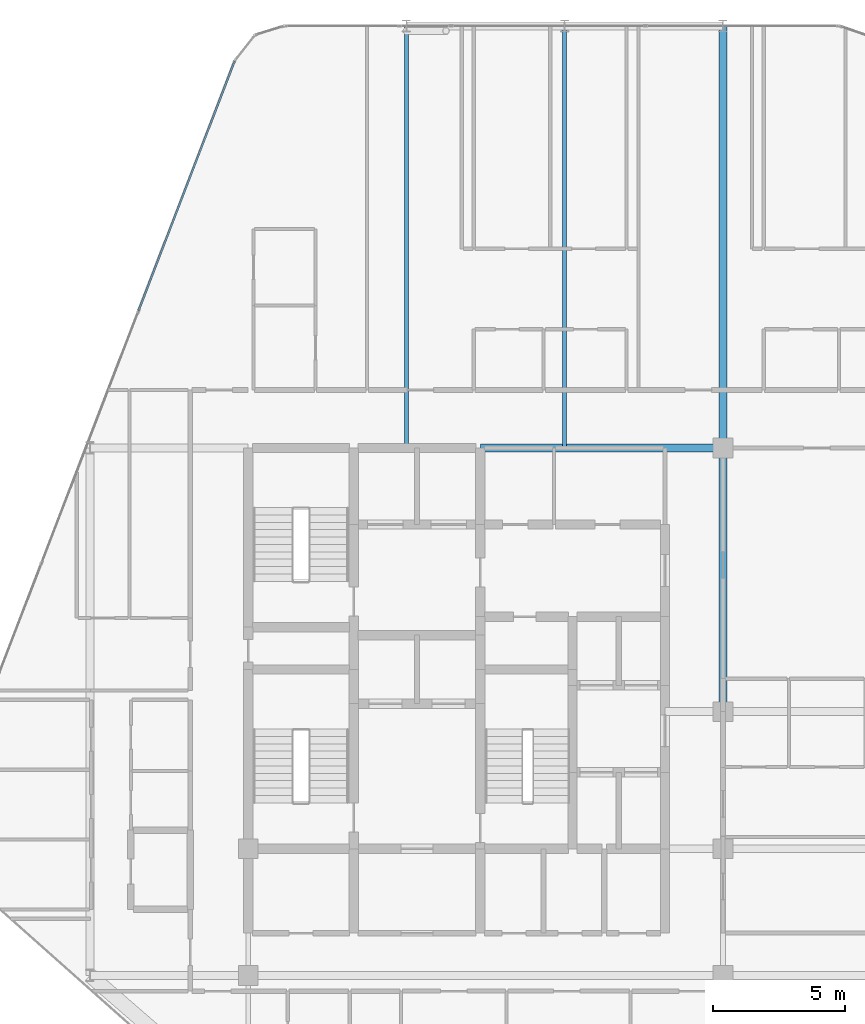
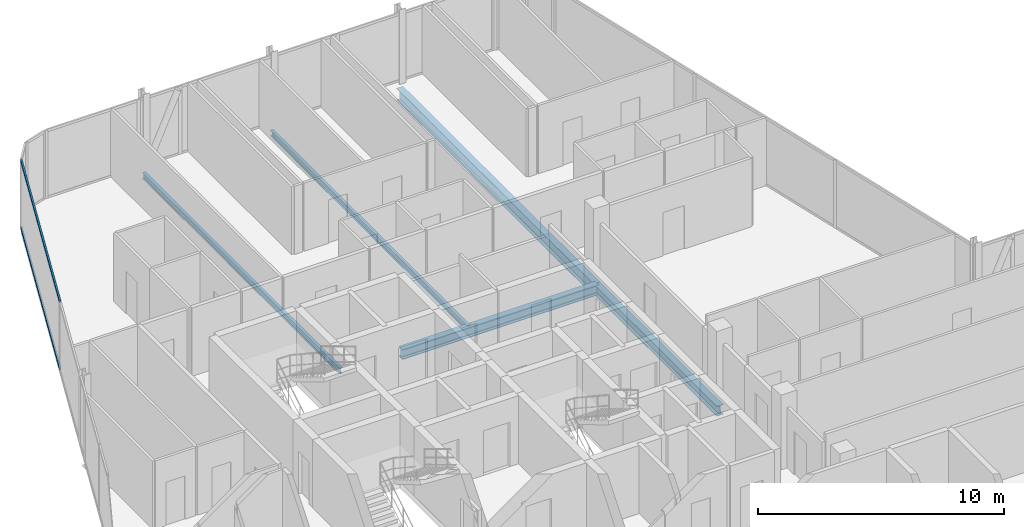
# One storey, part 17 of 29: 5 beams, 2 members, 1 element without a shape of its own.
"""IFC4 building model written with IfcOpenShell, lengths in metres."""

from ifc_helpers import new_model, si_unit, direction, frame, origin, origin_2d, place, context, subcontext, project, spatial, hollow_rectangle, i_section, extrude, material, layer, layer_set, material_profile, profile_set, type_object, element, aggregate, save


model = new_model("IFC4")

# Units and contexts
model_context = context("Model", 3, precision=1e-05, world=origin(), true_north=direction((0.0, 1.0)))
body_context = subcontext(model_context, "Body", "Model", "MODEL_VIEW")
ifc_project = project(units=[si_unit("LENGTHUNIT", "METRE"), si_unit("AREAUNIT", "SQUARE_METRE"), si_unit("VOLUMEUNIT", "CUBIC_METRE"), si_unit("PLANEANGLEUNIT", "RADIAN"), si_unit("MASSUNIT", "GRAM", prefix="KILO")], contexts=[model_context])

# Site, building, storey
site_placement = place(None, origin())
site = spatial("IfcSite", under=ifc_project, at=site_placement, CompositionType="ELEMENT")
building_placement = place(site_placement, origin())
building = spatial("IfcBuilding", under=site, at=building_placement, Name="Keshet Zoharim Tower", CompositionType="ELEMENT")
storey_placement = place(building_placement, frame((0.0, 0.0, 214.300048828125)))
storey = spatial("IfcBuildingStorey", under=building, at=storey_placement, Name="L53", CompositionType="ELEMENT", Elevation=214.300048828125)

# Beams
ifc_material_1 = material(Name="Steel S355", Category="steel")
ifc_material_profile_1 = material_profile(ifc_material_1, i_section(OverallWidth=0.14990234375, OverallDepth=0.300048828125, WebThickness=0.007080078125, FlangeThickness=0.0107421875, FilletRadius=0.014892578125, at=origin_2d()), Name="IPE300")
ifc_profile_set_1 = profile_set([ifc_material_profile_1], Name="Steel S355")
beam_type_1 = type_object("IfcBeamType", Name="BM-JST-IP300", PredefinedType="JOIST", material=ifc_profile_set_1)
for number, where, z_axis, x_axis, name in (
    (1, (21.0, 37.89990234375, -0.4599609375), (0.0, 1.0, 0.0), (-1.0, 0.0, 0.0), "L53 Secondary Floor Joist J-001"),
    (2, (27.0, 37.89990234375, -0.4599609375), (0.0, 1.0, 0.0), (-1.0, 0.0, 0.0), "L53 Secondary Floor Joist J-002"),
):
    element("IfcBeam", number, at=place(storey_placement, frame(where, z_axis=z_axis, x_axis=x_axis)), inside=storey, type_object=beam_type_1, Name=name, PredefinedType="JOIST", context=body_context, shape_type="SweptSolid", body=[
        extrude(i_section(OverallWidth=0.14990234375, OverallDepth=0.300048828125, WebThickness=0.007080078125, FlangeThickness=0.0107421875, FilletRadius=0.014892578125, at=origin_2d()), origin(), (0.0, 0.0, 1.0), 16.0),
    ])
ifc_material_profile_2 = material_profile(ifc_material_1, i_section(OverallWidth=0.300048828125, OverallDepth=0.60009765625, WebThickness=0.015380859375, FlangeThickness=0.030029296875, FilletRadius=0.027099609375, at=origin_2d()), Name="HEB600")
ifc_profile_set_2 = profile_set([ifc_material_profile_2], Name="Steel S355")
beam_type_2 = type_object("IfcBeamType", Name="BM-LNG-HB600", PredefinedType="BEAM", material=ifc_profile_set_2)
beam_1_placement = place(storey_placement, frame((33.0, 37.89990234375, -0.610107421875), z_axis=(0.0, 1.0, 0.0), x_axis=(-1.0, 0.0, 0.0)))
element("IfcBeam", 3, at=beam_1_placement, inside=storey, type_object=beam_type_2, Name="L53 Primary Girder Y-011", PredefinedType="BEAM", context=body_context, shape_type="SweptSolid", body=[
    extrude(i_section(OverallWidth=0.300048828125, OverallDepth=0.60009765625, WebThickness=0.015380859375, FlangeThickness=0.030029296875, FilletRadius=0.027099609375, at=origin_2d()), origin(), (0.0, 0.0, 1.0), 16.0),
])
ifc_material_profile_3 = material_profile(ifc_material_1, i_section(OverallWidth=0.300048828125, OverallDepth=0.5, WebThickness=0.014404296875, FlangeThickness=0.028076171875, FilletRadius=0.027099609375, at=origin_2d()), Name="HEB500")
ifc_profile_set_3 = profile_set([ifc_material_profile_3], Name="Steel S355")
beam_type_3 = type_object("IfcBeamType", Name="BM-MED-HB500", PredefinedType="BEAM", material=ifc_profile_set_3)
beam_2_placement = place(storey_placement, frame((23.800048828125, 37.89990234375, -0.56005859375), z_axis=(1.0, 0.0, 0.0), x_axis=(0.0, 1.0, 0.0)))
element("IfcBeam", 4, at=beam_2_placement, inside=storey, type_object=beam_type_3, Name="L53 Primary Girder X-018", PredefinedType="BEAM", context=body_context, shape_type="SweptSolid", body=[
    extrude(i_section(OverallWidth=0.300048828125, OverallDepth=0.5, WebThickness=0.014404296875, FlangeThickness=0.028076171875, FilletRadius=0.027099609375, at=origin_2d()), origin(), (0.0, 0.0, 1.0), 9.199951171875),
])
beam_3_placement = place(storey_placement, frame((33.0, 27.89990234375, -0.56005859375), z_axis=(0.0, 1.0, 0.0), x_axis=(-1.0, 0.0, 0.0)))
element("IfcBeam", 5, at=beam_3_placement, inside=storey, type_object=beam_type_3, Name="L53 Primary Girder Y-010", PredefinedType="BEAM", context=body_context, shape_type="SweptSolid", body=[
    extrude(i_section(OverallWidth=0.300048828125, OverallDepth=0.5, WebThickness=0.014404296875, FlangeThickness=0.028076171875, FilletRadius=0.027099609375, at=origin_2d()), origin(), (0.0, 0.0, 1.0), 10.0),
])

# Curtain wall, members
ifc_material_2 = material(Name="Aluminium 6063-T6", Category="aluminium")
ifc_layer = layer(ifc_material_2, 0.139892578125)
ifc_layer_set = layer_set([ifc_layer], Name="Aluminium 6063-T6")
curtain_wall_type = type_object("IfcCurtainWallType", Name="CW-SYS-05", PredefinedType="NOTDEFINED", material=ifc_layer_set)
curtain_wall_placement = place(storey_placement, origin())
curtain_wall = element("IfcCurtainWall", 6, at=curtain_wall_placement, inside=storey, type_object=curtain_wall_type, Name="L53 Unitised Curtain Wall 13", PredefinedType="NOTDEFINED")
ifc_material_profile_4 = material_profile(ifc_material_2, hollow_rectangle(XDim=0.074951171875, YDim=0.1201171875, WallThickness=0.00390625, at=origin_2d()), Name="TRN-75x120")
ifc_profile_set_4 = profile_set([ifc_material_profile_4], Name="Aluminium 6063-T6")
member_type = type_object("IfcMemberType", Name="CWT-T12", PredefinedType="USERDEFINED", material=ifc_profile_set_4)
member_1_placement = place(storey_placement, frame((10.849609375, 43.10888671875, 0.034912109375), z_axis=(0.358985546764, 0.933343118694, 0.0), x_axis=(-0.933343118694, 0.358985546764, 0.0)))
member_1 = element("IfcMember", 7, at=member_1_placement, type_object=member_type, Name="CW-05 transom 3.1", ObjectType="TRANSOM", PredefinedType="USERDEFINED", context=body_context, shape_type="SweptSolid", body=[
    extrude(hollow_rectangle(XDim=0.074951171875, YDim=0.1201171875, WallThickness=0.00390625, at=origin_2d()), origin(), (0.0, 0.0, 1.0), 10.118408203125),
])
member_2_placement = place(storey_placement, frame((10.849609375, 43.10888671875, 3.344970703125), z_axis=(0.358985546764, 0.933343118694, 0.0), x_axis=(-0.933343118694, 0.358985546764, 0.0)))
member_2 = element("IfcMember", 8, at=member_2_placement, type_object=member_type, Name="CW-05 transom 3.2", ObjectType="TRANSOM", PredefinedType="USERDEFINED", context=body_context, shape_type="SweptSolid", body=[
    extrude(hollow_rectangle(XDim=0.074951171875, YDim=0.1201171875, WallThickness=0.00390625, at=origin_2d()), origin(), (0.0, 0.0, 1.0), 10.118408203125),
])
aggregate(curtain_wall, [member_1, member_2])

save(model, "model.ifc")
